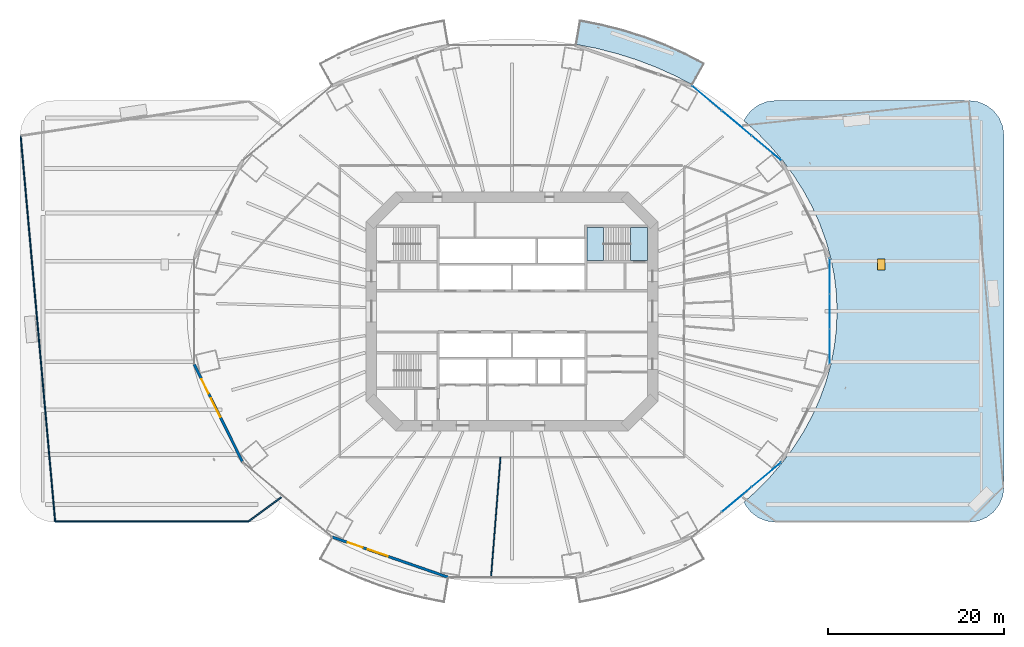
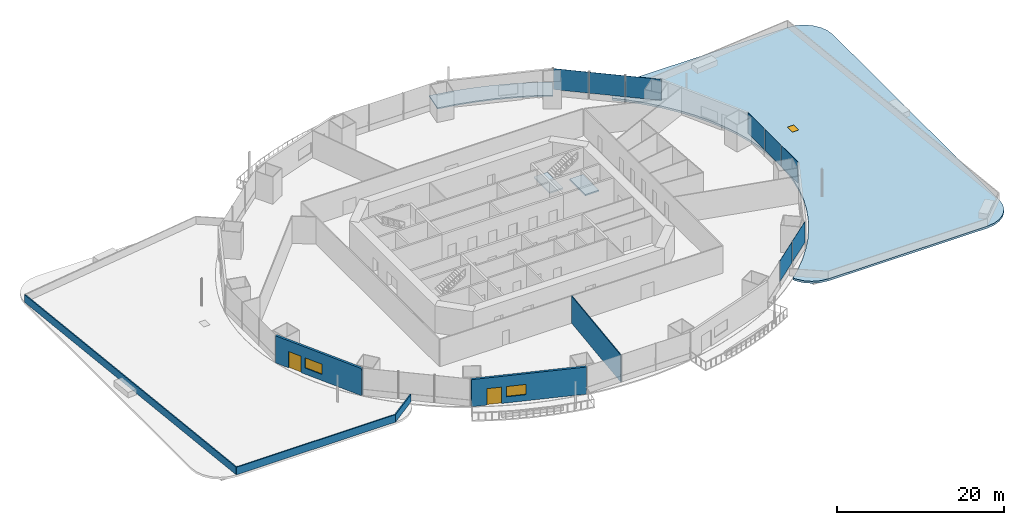
# One storey, part 17 of 27: 8 plates, 6 walls, 4 slabs, 4 windows, 1 door, 5 openings, 4 elements without a shape of their own.
"""IFC4 building model written with IfcOpenShell, lengths in metres."""

from ifc_helpers import new_model, si_unit, direction, frame, frame_2d, origin, origin_2d, place, context, subcontext, project, spatial, polyline, rectangle, outline, extrude, material, layer, layer_set, type_object, element, fill, aggregate, save


model = new_model("IFC4")

# Units and contexts
model_context = context("Model", 3, precision=1e-05, world=origin(), true_north=direction((0.0, 1.0)))
body_context = subcontext(model_context, "Body", "Model", "MODEL_VIEW")
ifc_project = project(units=[si_unit("LENGTHUNIT", "METRE"), si_unit("AREAUNIT", "SQUARE_METRE"), si_unit("VOLUMEUNIT", "CUBIC_METRE"), si_unit("PLANEANGLEUNIT", "RADIAN"), si_unit("MASSUNIT", "GRAM", prefix="KILO")], contexts=[model_context])

# Site, building, storey
site_placement = place(None, origin())
site = spatial("IfcSite", under=ifc_project, at=site_placement, CompositionType="ELEMENT")
building_placement = place(site_placement, origin())
building = spatial("IfcBuilding", under=site, at=building_placement, Name="Marenthal Gate Tower", CompositionType="ELEMENT")
storey_placement = place(building_placement, frame((0.0, 0.0, 33.0)))
storey = spatial("IfcBuildingStorey", under=building, at=storey_placement, Name="L04", CompositionType="ELEMENT", Elevation=33.0)

# Slabs
ifc_material_1 = material(Name="Concrete 40 MPa", Category="concrete")
ifc_layer_1 = layer(ifc_material_1, 0.179931640625)
ifc_layer_set_1 = layer_set([ifc_layer_1], Name="Balcony deck 180")
slab_type_1 = type_object("IfcSlabType", Name="Balcony deck 180", PredefinedType="USERDEFINED", material=ifc_layer_set_1)
slab_1_placement = place(storey_placement, frame((0.0, 0.0, -0.219970703125)))
element("IfcSlab", 1, at=slab_1_placement, inside=storey, type_object=slab_type_1, Name="Balcony deck L04 bay 3", ObjectType="BALCONY", PredefinedType="USERDEFINED", context=body_context, shape_type="SweptSolid", body=[
    extrude(outline(polyline([(20.55615234375, 25.775634765625), (18.5, 26.8466796875), (16.36474609375, 27.802978515625), (14.1591796875, 28.640380859375), (11.893310546875, 29.354736328125), (9.576416015625, 29.943603515625), (7.21826171875, 30.404296875), (7.678466796875, 33.166259765625), (10.189697265625, 32.67578125), (12.6591796875, 32.048095703125), (15.077392578125, 31.28564453125), (17.433837890625, 30.390869140625), (19.71923828125, 29.367431640625), (21.923828125, 28.21875), (20.55615234375, 25.775634765625)])), origin(), (0.0, 0.0, 1.0), 0.179931640625),
])
ifc_material_2 = material(Name="Concrete 50 MPa", Category="concrete")
ifc_layer_2 = layer(ifc_material_2, 0.179931640625)
ifc_layer_set_2 = layer_set([ifc_layer_2], Name="Core floor slab 180")
slab_type_2 = type_object("IfcSlabType", Name="Core floor slab 180", PredefinedType="FLOOR", material=ifc_layer_set_2)
slab_2_placement = place(storey_placement, frame((0.0, 0.0, -0.179931640625)))
element("IfcSlab", 2, at=slab_2_placement, inside=storey, type_object=slab_type_2, Name="Core floor L04", PredefinedType="FLOOR", context=body_context, shape_type="SweptSolid", body=[
    extrude(outline(polyline([(15.39990234375, 5.77490234375), (13.5, 5.77490234375), (13.5, 9.574951171875), (15.39990234375, 9.574951171875), (15.39990234375, 5.77490234375)])), origin(), (0.0, 0.0, 1.0), 0.179931640625),
])

# Curtain wall, plates
ifc_material_3 = material(Name="Aluminium and glass", Category="aluminium")
curtain_wall_type = type_object("IfcCurtainWallType", Name="Curtain wall typical low", PredefinedType="NOTDEFINED", material=ifc_material_3)
curtain_wall_1_placement = place(storey_placement, origin())
curtain_wall_1 = element("IfcCurtainWall", 3, at=curtain_wall_1_placement, inside=storey, type_object=curtain_wall_type, Name="Curtain wall L04 bay 2", PredefinedType="NOTDEFINED")
ifc_material_4 = material(Name="Glass, laminated insulating unit", Category="glass")
ifc_layer_3 = layer(ifc_material_4, 0.030029296875)
ifc_layer_set_3 = layer_set([ifc_layer_3], Name="Glass panel 30 typical low")
plate_type = type_object("IfcPlateType", Name="Glass panel 30 typical low", PredefinedType="CURTAIN_PANEL", material=ifc_layer_set_3)
plate_1_placement = place(storey_placement, frame((28.953369140625, 18.5888671875, 0.89990234375), z_axis=(0.0, 0.0, 1.0), x_axis=(-0.76671954771, 0.641982192245, 0.0)))
plate_1 = element("IfcPlate", 4, at=plate_1_placement, type_object=plate_type, Name="Glass panel L04 bay 2.1", PredefinedType="CURTAIN_PANEL", context=body_context, shape_type="SweptSolid", body=[
    extrude(rectangle(XDim=4.34375, YDim=0.030029296875, at=origin_2d()), origin(), (0.0, 0.0, 1.0), 3.070068359375),
])
plate_2_placement = place(storey_placement, frame((25.576904296875, 21.416015625, 0.89990234375), z_axis=(0.0, 0.0, 1.0), x_axis=(-0.76671954771, 0.641982192245, 0.0)))
plate_2 = element("IfcPlate", 5, at=plate_2_placement, type_object=plate_type, Name="Glass panel L04 bay 2.2", PredefinedType="CURTAIN_PANEL", context=body_context, shape_type="SweptSolid", body=[
    extrude(rectangle(XDim=4.34375, YDim=0.030029296875, at=origin_2d()), origin(), (0.0, 0.0, 1.0), 3.070068359375),
])
plate_3_placement = place(storey_placement, frame((22.20068359375, 24.242919921875, 0.89990234375), z_axis=(0.0, 0.0, 1.0), x_axis=(-0.76671954771, 0.641982192245, 0.0)))
plate_3 = element("IfcPlate", 6, at=plate_3_placement, type_object=plate_type, Name="Glass panel L04 bay 2.3", PredefinedType="CURTAIN_PANEL", context=body_context, shape_type="SweptSolid", body=[
    extrude(rectangle(XDim=4.34375, YDim=0.030029296875, at=origin_2d()), origin(), (0.0, 0.0, 1.0), 3.070068359375),
])
aggregate(curtain_wall_1, [plate_1, plate_2, plate_3])

curtain_wall_2_placement = place(storey_placement, origin())
curtain_wall_2 = element("IfcCurtainWall", 7, at=curtain_wall_2_placement, inside=storey, type_object=curtain_wall_type, Name="Curtain wall L04 bay 14", PredefinedType="NOTDEFINED")
plate_4_placement = place(storey_placement, frame((25.576904296875, -21.416015625, 0.89990234375), z_axis=(0.0, 0.0, 1.0), x_axis=(0.76671954771, 0.641982192245, 0.0)))
plate_4 = element("IfcPlate", 8, at=plate_4_placement, type_object=plate_type, Name="Glass panel L04 bay 14.2", PredefinedType="CURTAIN_PANEL", context=body_context, shape_type="SweptSolid", body=[
    extrude(rectangle(XDim=4.34375, YDim=0.030029296875, at=origin_2d()), origin(), (0.0, 0.0, 1.0), 3.070068359375),
])
plate_5_placement = place(storey_placement, frame((28.953369140625, -18.5888671875, 0.89990234375), z_axis=(0.0, 0.0, 1.0), x_axis=(0.76671954771, 0.641982192245, 0.0)))
plate_5 = element("IfcPlate", 9, at=plate_5_placement, type_object=plate_type, Name="Glass panel L04 bay 14.3", PredefinedType="CURTAIN_PANEL", context=body_context, shape_type="SweptSolid", body=[
    extrude(rectangle(XDim=4.34375, YDim=0.030029296875, at=origin_2d()), origin(), (0.0, 0.0, 1.0), 3.070068359375),
])
aggregate(curtain_wall_2, [plate_4, plate_5])

curtain_wall_3_placement = place(storey_placement, origin())
curtain_wall_3 = element("IfcCurtainWall", 10, at=curtain_wall_3_placement, inside=storey, type_object=curtain_wall_type, Name="Curtain wall L04 bay 16", PredefinedType="NOTDEFINED")
plate_6_placement = place(storey_placement, frame((36.17138671875, -3.996337890625, 0.89990234375), z_axis=(0.0, 0.0, 1.0), x_axis=(0.0, 1.0, 0.0)))
plate_6 = element("IfcPlate", 11, at=plate_6_placement, type_object=plate_type, Name="Glass panel L04 bay 16.1", PredefinedType="CURTAIN_PANEL", context=body_context, shape_type="SweptSolid", body=[
    extrude(rectangle(XDim=3.936279296875, YDim=0.030029296875, at=origin_2d()), origin(), (0.0, 0.0, 1.0), 3.070068359375),
])
plate_7_placement = place(storey_placement, frame((36.17138671875, 0.0, 0.89990234375), z_axis=(0.0, 0.0, 1.0), x_axis=(0.0, 1.0, 0.0)))
plate_7 = element("IfcPlate", 12, at=plate_7_placement, type_object=plate_type, Name="Glass panel L04 bay 16.2", PredefinedType="CURTAIN_PANEL", context=body_context, shape_type="SweptSolid", body=[
    extrude(rectangle(XDim=3.936279296875, YDim=0.030029296875, at=origin_2d()), origin(), (0.0, 0.0, 1.0), 3.070068359375),
])
plate_8_placement = place(storey_placement, frame((36.17138671875, 3.996337890625, 0.89990234375), z_axis=(0.0, 0.0, 1.0), x_axis=(0.0, 1.0, 0.0)))
plate_8 = element("IfcPlate", 13, at=plate_8_placement, type_object=plate_type, Name="Glass panel L04 bay 16.3", PredefinedType="CURTAIN_PANEL", context=body_context, shape_type="SweptSolid", body=[
    extrude(rectangle(XDim=3.936279296875, YDim=0.030029296875, at=origin_2d()), origin(), (0.0, 0.0, 1.0), 3.070068359375),
])
aggregate(curtain_wall_3, [plate_6, plate_7, plate_8])

# Slab, opening, window
ifc_material_5 = material(Name="Concrete 35 MPa", Category="concrete")
ifc_layer_4 = layer(ifc_material_5, 0.300048828125)
ifc_layer_set_4 = layer_set([ifc_layer_4], Name="PODIUM ROOF 300")
slab_type_3 = type_object("IfcSlabType", Name="PODIUM ROOF 300", PredefinedType="ROOF", material=ifc_layer_set_4)
slab_3_placement = place(storey_placement, frame((0.0, 0.0, -0.340087890625)))
slab_3 = element("IfcSlab", 14, at=slab_3_placement, inside=storey, type_object=slab_type_3, Name="SL-L04-11", PredefinedType="ROOF", context=body_context, shape_type="SweptSolid", body=[
    extrude(outline(polyline([(27.171630859375, 22.828369140625), (28.0, 23.464111328125), (28.964599609375, 23.86376953125), (30.0, 24.0), (52.0, 24.0), (53.035400390625, 23.86376953125), (54.0, 23.464111328125), (54.828369140625, 22.828369140625), (55.464111328125, 22.0), (55.86376953125, 21.035400390625), (56.0, 20.0), (56.0, -20.0), (55.86376953125, -21.035400390625), (55.464111328125, -22.0), (54.828369140625, -22.828369140625), (54.0, -23.464111328125), (53.035400390625, -23.86376953125), (52.0, -24.0), (30.0, -24.0), (28.964599609375, -23.86376953125), (28.0, -23.464111328125), (27.171630859375, -22.828369140625), (26.535888671875, -22.0), (26.410888671875, -21.698486328125), (27.818115234375, -20.439697265625), (29.35400390625, -18.87158203125), (30.764404296875, -17.22265625), (32.04296875, -15.5), (33.184326171875, -13.7109375), (34.18359375, -11.86328125), (35.036376953125, -9.964599609375), (35.7392578125, -8.0234375), (36.2890625, -6.0478515625), (36.68359375, -4.04638671875), (36.9208984375, -2.027587890625), (37.0, 0.0), (36.9208984375, 2.027587890625), (36.68359375, 4.04638671875), (36.2890625, 6.0478515625), (35.7392578125, 8.0234375), (35.036376953125, 9.964599609375), (34.18359375, 11.86328125), (33.184326171875, 13.7109375), (32.04296875, 15.5), (30.764404296875, 17.22265625), (29.35400390625, 18.87158203125), (27.818115234375, 20.439697265625), (26.410888671875, 21.698486328125), (26.535888671875, 22.0), (27.171630859375, 22.828369140625)])), origin(), (0.0, 0.0, 1.0), 0.300048828125),
])
opening_1_placement = place(slab_3_placement, frame((42.029052734375, 5.3369140625, 0.0)))
opening_1 = element("IfcOpeningElement", 15, at=opening_1_placement, cuts=slab_3, Name="Opening WH1", PredefinedType="OPENING", context=body_context, shape_type="SweptSolid", body=[
    extrude(rectangle(XDim=0.89990234375, YDim=1.199951171875, at=origin_2d()), origin(), (0.0, 0.0, 1.0), 0.300048828125),
])
ifc_material_6 = material(Name="Aluminium and glass", Category="aluminium")
window_type_1 = type_object("IfcWindowType", Name="Wing roof access hatch 900x1200", PartitioningType="SINGLE_PANEL", PredefinedType="SKYLIGHT", material=ifc_material_6)
window_1_placement = place(opening_1_placement, frame((0.0, 0.0, 0.25)))
window_1 = element("IfcWindow", 16, at=window_1_placement, inside=storey, type_object=window_type_1, Name="Wing roof access hatch E", OverallHeight=1.199951171875, OverallWidth=0.89990234375, PartitioningType="SINGLE_PANEL", PredefinedType="SKYLIGHT", context=body_context, shape_type="SweptSolid", body=[
    extrude(rectangle(XDim=0.89990234375, YDim=1.199951171875, at=origin_2d()), origin(), (0.0, 0.0, 1.0), 0.050048828125),
])
fill(opening_1, window_1)

# Stair, slab
ifc_material_7 = material(Name="Concrete 40 MPa", Category="concrete")
stair_type = type_object("IfcStairType", Name="Exit stair 1800", PredefinedType="HALF_TURN_STAIR", material=ifc_material_7)
stair_placement = place(storey_placement, origin())
stair = element("IfcStair", 17, at=stair_placement, inside=storey, type_object=stair_type, Name="Stair ST3", PredefinedType="HALF_TURN_STAIR")
ifc_material_8 = material(Name="Concrete 40 MPa", Category="concrete")
ifc_layer_5 = layer(ifc_material_8, 0.199951171875)
ifc_layer_set_5 = layer_set([ifc_layer_5], Name="Stair landing 200")
slab_type_4 = type_object("IfcSlabType", Name="Stair landing 200", PredefinedType="LANDING", material=ifc_layer_set_5)
slab_4_placement = place(storey_placement, frame((0.0, 0.0, 1.875)))
slab_4 = element("IfcSlab", 18, at=slab_4_placement, type_object=slab_type_4, Name="ST3 landing 1", PredefinedType="LANDING", context=body_context, shape_type="SweptSolid", body=[
    extrude(outline(polyline([(8.550048828125, 5.77490234375), (10.419921875, 5.77490234375), (10.419921875, 9.574951171875), (8.550048828125, 9.574951171875), (8.550048828125, 5.77490234375)])), origin(), (0.0, 0.0, 1.0), 0.199951171875),
])
aggregate(stair, [slab_4])

# Wall
ifc_material_9 = material(Name="Gypsum board on steel studs", Category="steel")
ifc_layer_6 = layer(ifc_material_9, 0.1201171875)
ifc_layer_set_6 = layer_set([ifc_layer_6], Name="Partition 120")
wall_type_1 = type_object("IfcWallType", Name="Partition 120", PredefinedType="PARTITIONING", material=ifc_layer_set_6)
wall_1_placement = place(storey_placement, frame((-1.30908203125, -16.60009765625, 0.0), z_axis=(0.0, 0.0, 1.0), x_axis=(-0.078600169401, -0.996906220951, 0.0)))
element("IfcWall", 19, at=wall_1_placement, inside=storey, type_object=wall_type_1, Name="Partition wall 53", PredefinedType="PARTITIONING", context=body_context, shape_type="SweptSolid", body=[
    extrude(rectangle(XDim=13.72900390625, YDim=0.1201171875, at=frame_2d((6.864501953125, 0.0))), origin(), (0.0, 0.0, 1.0), 3.969970703125),
])

# Wall, openings, windows
ifc_material_10 = material(Name="Terracotta cladding on insulated concrete-block backing", Category="masonry")
ifc_layer_7 = layer(ifc_material_10, 0.300048828125)
ifc_layer_set_7 = layer_set([ifc_layer_7], Name="Terracotta facade wall 300")
wall_type_2 = type_object("IfcWallType", Name="Terracotta facade wall 300", PredefinedType="SOLIDWALL", material=ifc_layer_set_7)
wall_2_placement = place(storey_placement, frame((-36.17138671875, -6.0244140625, 0.0), z_axis=(0.0, 0.0, 1.0), x_axis=(0.443411588907, -0.896318114747, 0.0)))
wall_2 = element("IfcWall", 20, at=wall_2_placement, inside=storey, type_object=wall_type_2, Name="Terracotta facade wall L04 bay 9", PredefinedType="SOLIDWALL", context=body_context, shape_type="SweptSolid", body=[
    extrude(rectangle(XDim=12.419189453125, YDim=0.300048828125, at=frame_2d((6.20947265625, 0.0))), origin(), (0.0, 0.0, 1.0), 3.969970703125),
])
opening_2_placement = place(wall_2_placement, frame((1.89990234375, 0.0, 0.0)))
opening_2 = element("IfcOpeningElement", 21, at=opening_2_placement, cuts=wall_2, Name="Opening WN8-L04-09", PredefinedType="OPENING", context=body_context, shape_type="SweptSolid", body=[
    extrude(rectangle(XDim=1.800048828125, YDim=2.39990234375, at=frame_2d((0.89990234375, 1.199951171875))), frame((0.0, 0.16015625, 0.0), z_axis=(0.0, -1.0, 0.0), x_axis=(1.0, 0.0, 0.0)), (0.0, 0.0, 1.0), 0.320068359375),
])
opening_3_placement = place(wall_2_placement, frame((4.300048828125, 0.0, 0.89990234375)))
opening_3 = element("IfcOpeningElement", 22, at=opening_3_placement, cuts=wall_2, Name="Opening WN1-L04-09", PredefinedType="OPENING", context=body_context, shape_type="SweptSolid", body=[
    extrude(rectangle(XDim=2.39990234375, YDim=1.5, at=frame_2d((1.199951171875, 0.75))), frame((0.0, 0.16015625, 0.0), z_axis=(0.0, -1.0, 0.0), x_axis=(1.0, 0.0, 0.0)), (0.0, 0.0, 1.0), 0.320068359375),
])
ifc_material_11 = material(Name="Aluminium and glass", Category="aluminium")
window_type_2 = type_object("IfcWindowType", Name="Terracotta SCREEN 30", PartitioningType="DOUBLE_PANEL_VERTICAL", PredefinedType="WINDOW", material=ifc_material_11)
window_2_placement = place(opening_2_placement, origin())
window_2 = element("IfcWindow", 23, at=window_2_placement, inside=storey, type_object=window_type_2, Name="Glazed screen L04 bay 9", OverallHeight=2.39990234375, OverallWidth=1.800048828125, PartitioningType="SINGLE_PANEL", PredefinedType="WINDOW", context=body_context, shape_type="SweptSolid", body=[
    extrude(rectangle(XDim=1.800048828125, YDim=2.39990234375, at=frame_2d((0.89990234375, 1.199951171875))), frame((0.0, 0.030029296875, 0.0), z_axis=(0.0, -1.0, 0.0), x_axis=(1.0, 0.0, 0.0)), (0.0, 0.0, 1.0), 0.06005859375),
])
fill(opening_2, window_2)
ifc_material_12 = material(Name="Aluminium and glass", Category="aluminium")
window_type_3 = type_object("IfcWindowType", Name="Window 2400x1500", PartitioningType="TRIPLE_PANEL_VERTICAL", PredefinedType="WINDOW", material=ifc_material_12)
window_3_placement = place(opening_3_placement, origin())
window_3 = element("IfcWindow", 24, at=window_3_placement, inside=storey, type_object=window_type_3, Name="Window L04 bay 9", OverallHeight=1.5, OverallWidth=2.39990234375, PartitioningType="SINGLE_PANEL", PredefinedType="WINDOW", context=body_context, shape_type="SweptSolid", body=[
    extrude(rectangle(XDim=2.39990234375, YDim=1.5, at=frame_2d((1.199951171875, 0.75))), frame((0.0, 0.030029296875, 0.0), z_axis=(0.0, -1.0, 0.0), x_axis=(1.0, 0.0, 0.0)), (0.0, 0.0, 1.0), 0.06005859375),
])
fill(opening_3, window_3)

# Wall, openings, door, window
wall_3_placement = place(storey_placement, frame((-20.489501953125, -25.67578125, 0.0), z_axis=(0.0, 0.0, 1.0), x_axis=(0.944791803015, -0.327671251341, 0.0)))
wall_3 = element("IfcWall", 25, at=wall_3_placement, inside=storey, type_object=wall_type_2, Name="Terracotta facade wall L04 bay 11", PredefinedType="SOLIDWALL", context=body_context, shape_type="SweptSolid", body=[
    extrude(rectangle(XDim=14.071533203125, YDim=0.300048828125, at=frame_2d((7.03564453125, 0.0))), origin(), (0.0, 0.0, 1.0), 3.969970703125),
])
opening_4_placement = place(wall_3_placement, frame((1.89990234375, 0.0, 0.0)))
opening_4 = element("IfcOpeningElement", 26, at=opening_4_placement, cuts=wall_3, Name="Opening BD-L04-11", PredefinedType="OPENING", context=body_context, shape_type="SweptSolid", body=[
    extrude(rectangle(XDim=1.800048828125, YDim=2.39990234375, at=frame_2d((0.89990234375, 1.199951171875))), frame((0.0, 0.16015625, 0.0), z_axis=(0.0, -1.0, 0.0), x_axis=(1.0, 0.0, 0.0)), (0.0, 0.0, 1.0), 0.320068359375),
])
opening_5_placement = place(wall_3_placement, frame((4.300048828125, 0.0, 0.89990234375)))
opening_5 = element("IfcOpeningElement", 27, at=opening_5_placement, cuts=wall_3, Name="Opening WN1-L04-11", PredefinedType="OPENING", context=body_context, shape_type="SweptSolid", body=[
    extrude(rectangle(XDim=2.39990234375, YDim=1.5, at=frame_2d((1.199951171875, 0.75))), frame((0.0, 0.16015625, 0.0), z_axis=(0.0, -1.0, 0.0), x_axis=(1.0, 0.0, 0.0)), (0.0, 0.0, 1.0), 0.320068359375),
])
ifc_material_13 = material(Name="Aluminium and glass", Category="aluminium")
door_type = type_object("IfcDoorType", Name="Balcony door 1800x2400", OperationType="DOUBLE_DOOR_SINGLE_SWING", PredefinedType="DOOR", material=ifc_material_13)
door_placement = place(opening_4_placement, origin())
door = element("IfcDoor", 28, at=door_placement, inside=storey, type_object=door_type, Name="Balcony door L04 bay 11", OperationType="SINGLE_SWING_LEFT", OverallHeight=2.39990234375, OverallWidth=1.800048828125, PredefinedType="DOOR", context=body_context, shape_type="SweptSolid", body=[
    extrude(rectangle(XDim=1.800048828125, YDim=2.39990234375, at=frame_2d((0.89990234375, 1.199951171875))), frame((0.0, 0.02490234375, 0.0), z_axis=(0.0, -1.0, 0.0), x_axis=(1.0, 0.0, 0.0)), (0.0, 0.0, 1.0), 0.050048828125),
])
fill(opening_4, door)
window_4_placement = place(opening_5_placement, origin())
window_4 = element("IfcWindow", 29, at=window_4_placement, inside=storey, type_object=window_type_3, Name="Window L04 bay 11", OverallHeight=1.5, OverallWidth=2.39990234375, PartitioningType="SINGLE_PANEL", PredefinedType="WINDOW", context=body_context, shape_type="SweptSolid", body=[
    extrude(rectangle(XDim=2.39990234375, YDim=1.5, at=frame_2d((1.199951171875, 0.75))), frame((0.0, 0.030029296875, 0.0), z_axis=(0.0, -1.0, 0.0), x_axis=(1.0, 0.0, 0.0)), (0.0, 0.0, 1.0), 0.06005859375),
])
fill(opening_5, window_4)

# Walls
ifc_material_14 = material(Name="Concrete 40 MPa", Category="concrete")
ifc_layer_8 = layer(ifc_material_14, 0.14990234375)
ifc_layer_set_8 = layer_set([ifc_layer_8], Name="Wing roof parapet 150")
wall_type_3 = type_object("IfcWallType", Name="Wing roof parapet 150", PredefinedType="PARAPET", material=ifc_layer_set_8)
wall_4_placement = place(storey_placement, frame((-30.0048828125, -23.925048828125, -0.0400390625), z_axis=(0.0, 0.0, 1.0), x_axis=(-1.0, 0.0, 0.0)))
element("IfcWall", 30, at=wall_4_placement, inside=storey, type_object=wall_type_3, Name="Wing roof parapet W1", PredefinedType="PARAPET", context=body_context, shape_type="SweptSolid", body=[
    extrude(rectangle(XDim=21.990234375, YDim=0.14990234375, at=frame_2d((10.9951171875, 0.0))), origin(), (0.0, 0.0, 1.0), 1.10009765625),
])
wall_5_placement = place(storey_placement, frame((-51.9951171875, -23.925048828125, -0.0400390625), z_axis=(0.0, 0.0, 1.0), x_axis=(-0.089122910187, 0.99602063577, 0.0)))
element("IfcWall", 31, at=wall_5_placement, inside=storey, type_object=wall_type_3, Name="Wing roof parapet W2", PredefinedType="PARAPET", context=body_context, shape_type="SweptSolid", body=[
    extrude(rectangle(XDim=44.095703125, YDim=0.14990234375, at=frame_2d((22.0478515625, 0.0))), origin(), (0.0, 0.0, 1.0), 1.10009765625),
])
wall_6_placement = place(storey_placement, frame((-26.269775390625, -21.161865234375, -0.0400390625), z_axis=(0.0, 0.0, 1.0), x_axis=(-0.803923802622, -0.594732309176, 0.0)))
element("IfcWall", 32, at=wall_6_placement, inside=storey, type_object=wall_type_3, Name="Wing roof parapet W5", PredefinedType="PARAPET", context=body_context, shape_type="SweptSolid", body=[
    extrude(rectangle(XDim=4.64599609375, YDim=0.14990234375, at=frame_2d((2.322998046875, 0.0))), origin(), (0.0, 0.0, 1.0), 1.10009765625),
])

save(model, "model.ifc")
